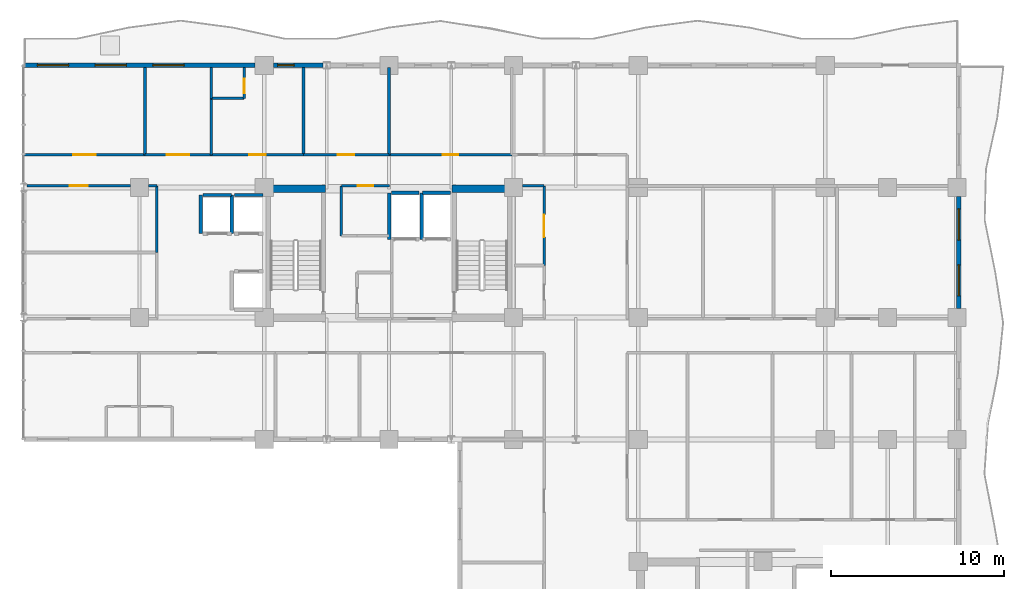
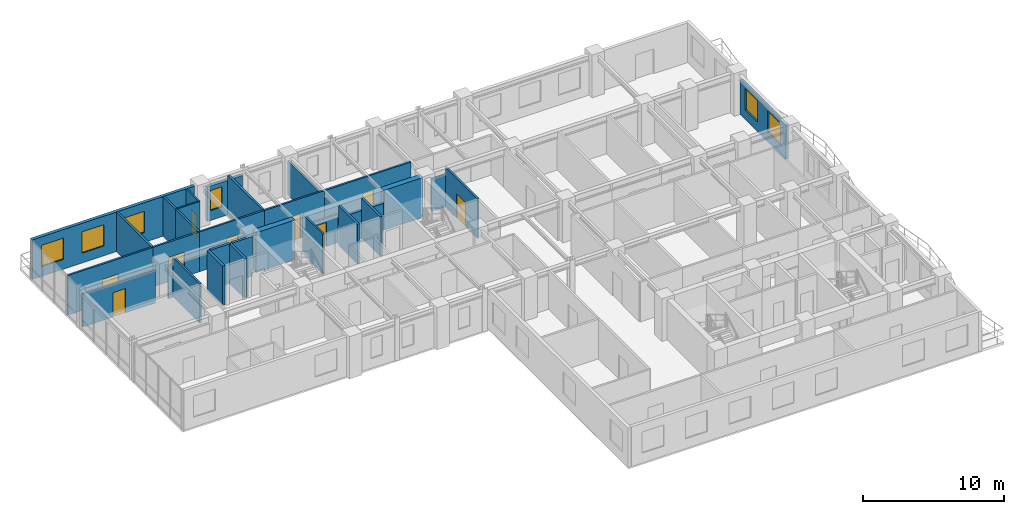
# One storey, part 14 of 19: 32 walls, 9 doors, 6 windows, 15 openings.
"""IFC4 building model written with IfcOpenShell, lengths in metres."""

from ifc_helpers import new_model, si_unit, direction, frame, frame_2d, origin, place, context, subcontext, project, spatial, rectangle, extrude, material, layer, layer_set, type_object, element, fill, save


model = new_model("IFC4")

# Units and contexts
model_context = context("Model", 3, precision=1e-05, world=origin(), true_north=direction((0.0, 1.0)))
body_context = subcontext(model_context, "Body", "Model", "MODEL_VIEW")
ifc_project = project(units=[si_unit("LENGTHUNIT", "METRE"), si_unit("AREAUNIT", "SQUARE_METRE"), si_unit("VOLUMEUNIT", "CUBIC_METRE"), si_unit("PLANEANGLEUNIT", "RADIAN"), si_unit("MASSUNIT", "GRAM", prefix="KILO")], contexts=[model_context])

# Site, building, storey
site_placement = place(None, origin())
site = spatial("IfcSite", under=ifc_project, at=site_placement, CompositionType="ELEMENT")
building_placement = place(site_placement, origin())
building = spatial("IfcBuilding", under=site, at=building_placement, Name="Kaliganga Portal Commons", CompositionType="ELEMENT")
storey_placement = place(building_placement, frame((0.0, 0.0, 184.60009765625)))
storey = spatial("IfcBuildingStorey", under=building, at=storey_placement, Name="L47", CompositionType="ELEMENT", Elevation=184.60009765625)

# Walls
ifc_material_1 = material(Name="Concrete C60/75", Category="concrete")
ifc_layer_1 = layer(ifc_material_1, 0.449951171875)
ifc_layer_set_1 = layer_set([ifc_layer_1], Name="Concrete C60/75")
wall_type_1 = type_object("IfcWallType", Name="WL-CORE-450", PredefinedType="SHEAR", material=ifc_layer_set_1)
for number, where, z_axis, x_axis, name in (
    (1, (14.75, 36.074951171875, 0.0), (0.0, 0.0, 1.0), (1.0, 0.0, 0.0), "Core A N-West Shear Wall L47"),
    (2, (25.25, 36.074951171875, 0.0), (0.0, 0.0, 1.0), (1.0, 0.0, 0.0), "Core A N-East Shear Wall L47"),
):
    element("IfcWall", number, at=place(storey_placement, frame(where, z_axis=z_axis, x_axis=x_axis)), inside=storey, type_object=wall_type_1, Name=name, PredefinedType="SHEAR", context=body_context, shape_type="SweptSolid", body=[
        extrude(rectangle(XDim=3.199951171875, YDim=0.449951171875, at=frame_2d((1.60009765625, 0.0))), origin(), (0.0, 0.0, 1.0), 3.4599609375),
    ])

# Wall, openings, windows
ifc_material_2 = material(Name="Insulated Aluminium-Clad Spandrel Assembly", Category="aluminium")
ifc_layer_2 = layer(ifc_material_2, 0.260009765625)
ifc_layer_set_2 = layer_set([ifc_layer_2], Name="Insulated Aluminium-Clad Spandrel Assembly")
wall_type_2 = type_object("IfcWallType", Name="WL-EXT-SPAND-260", PredefinedType="STANDARD", material=ifc_layer_set_2)
wall_1_placement = place(storey_placement, frame((54.5, 35.6240234375, 0.0), z_axis=(0.0, 0.0, 1.0), x_axis=(0.0, -1.0, 0.0)))
wall_1 = element("IfcWall", 3, at=wall_1_placement, inside=storey, type_object=wall_type_2, Name="Exterior Envelope Wall L47 P1-E01-S5", PredefinedType="STANDARD", context=body_context, shape_type="SweptSolid", body=[
    extrude(rectangle(XDim=6.447998046875, YDim=0.260009765625, at=frame_2d((3.22412109375, 0.0))), origin(), (0.0, 0.0, 1.0), 2.989990234375),
])
opening_1_placement = place(wall_1_placement, frame((0.7119140625, 0.0, 0.85009765625)))
opening_1 = element("IfcOpeningElement", 4, at=opening_1_placement, cuts=wall_1, Name="Opening W-01", PredefinedType="OPENING", context=body_context, shape_type="SweptSolid", body=[
    extrude(rectangle(XDim=1.800048828125, YDim=1.85009765625, at=frame_2d((0.89990234375, 0.925048828125))), frame((0.0, 0.14013671875, 0.0), z_axis=(0.0, -1.0, 0.0), x_axis=(1.0, 0.0, 0.0)), (0.0, 0.0, 1.0), 0.280029296875),
])
opening_2_placement = place(wall_1_placement, frame((3.93603515625, 0.0, 0.85009765625)))
opening_2 = element("IfcOpeningElement", 5, at=opening_2_placement, cuts=wall_1, Name="Opening W-01", PredefinedType="OPENING", context=body_context, shape_type="SweptSolid", body=[
    extrude(rectangle(XDim=1.800048828125, YDim=1.85009765625, at=frame_2d((0.89990234375, 0.925048828125))), frame((0.0, 0.14013671875, 0.0), z_axis=(0.0, -1.0, 0.0), x_axis=(1.0, 0.0, 0.0)), (0.0, 0.0, 1.0), 0.280029296875),
])
ifc_material_3 = material(Name="Thermally Broken Aluminium and Low-E Double Glazing", Category="aluminium")
window_type_1 = type_object("IfcWindowType", Name="WIN-STD-1800", PartitioningType="DOUBLE_PANEL_VERTICAL", PredefinedType="WINDOW", material=ifc_material_3)
window_1_placement = place(opening_1_placement, origin())
window_1 = element("IfcWindow", 6, at=window_1_placement, inside=storey, type_object=window_type_1, Name="Facade Window L47-P1E01S5-00", OverallHeight=1.85009765625, OverallWidth=1.800048828125, PartitioningType="SINGLE_PANEL", PredefinedType="WINDOW", context=body_context, shape_type="SweptSolid", body=[
    extrude(rectangle(XDim=1.800048828125, YDim=1.85009765625, at=frame_2d((0.89990234375, 0.925048828125))), frame((0.0, 0.030029296875, 0.0), z_axis=(0.0, -1.0, 0.0), x_axis=(1.0, 0.0, 0.0)), (0.0, 0.0, 1.0), 0.06005859375),
])
fill(opening_1, window_1)
window_2_placement = place(opening_2_placement, origin())
window_2 = element("IfcWindow", 7, at=window_2_placement, inside=storey, type_object=window_type_1, Name="Facade Window L47-P1E01S5-01", OverallHeight=1.85009765625, OverallWidth=1.800048828125, PartitioningType="SINGLE_PANEL", PredefinedType="WINDOW", context=body_context, shape_type="SweptSolid", body=[
    extrude(rectangle(XDim=1.800048828125, YDim=1.85009765625, at=frame_2d((0.89990234375, 0.925048828125))), frame((0.0, 0.030029296875, 0.0), z_axis=(0.0, -1.0, 0.0), x_axis=(1.0, 0.0, 0.0)), (0.0, 0.0, 1.0), 0.06005859375),
])
fill(opening_2, window_2)

# Wall, opening, window
wall_2_placement = place(storey_placement, frame((14.926025390625, 43.199951171875, 0.0), z_axis=(0.0, 0.0, 1.0), x_axis=(1.0, 0.0, 0.0)))
wall_2 = element("IfcWall", 8, at=wall_2_placement, inside=storey, type_object=wall_type_2, Name="Exterior Envelope Wall L47 P1-E02-S8", PredefinedType="STANDARD", context=body_context, shape_type="SweptSolid", body=[
    extrude(rectangle(XDim=2.87109375, YDim=0.260009765625, at=frame_2d((1.435546875, 0.0))), origin(), (0.0, 0.0, 1.0), 2.989990234375),
])
opening_3_placement = place(wall_2_placement, frame((0.24853515625, 0.0, 0.85009765625)))
opening_3 = element("IfcOpeningElement", 9, at=opening_3_placement, cuts=wall_2, Name="Opening W-04", PredefinedType="OPENING", context=body_context, shape_type="SweptSolid", body=[
    extrude(rectangle(XDim=0.949951171875, YDim=1.75, at=frame_2d((0.47509765625, 0.875))), frame((0.0, 0.14013671875, 0.0), z_axis=(0.0, -1.0, 0.0), x_axis=(1.0, 0.0, 0.0)), (0.0, 0.0, 1.0), 0.280029296875),
])
window_type_2 = type_object("IfcWindowType", Name="WIN-NARROW-950", PartitioningType="SINGLE_PANEL", PredefinedType="WINDOW", material=ifc_material_3)
window_3_placement = place(opening_3_placement, origin())
window_3 = element("IfcWindow", 10, at=window_3_placement, inside=storey, type_object=window_type_2, Name="Facade Window L47-P1E02S8-N1", OverallHeight=1.75, OverallWidth=0.949951171875, PartitioningType="SINGLE_PANEL", PredefinedType="WINDOW", context=body_context, shape_type="SweptSolid", body=[
    extrude(rectangle(XDim=0.949951171875, YDim=1.75, at=frame_2d((0.47509765625, 0.875))), frame((0.0, 0.030029296875, 0.0), z_axis=(0.0, -1.0, 0.0), x_axis=(1.0, 0.0, 0.0)), (0.0, 0.0, 1.0), 0.06005859375),
])
fill(opening_3, window_3)

# Wall, openings, windows
wall_3_placement = place(storey_placement, frame((0.537109375, 43.199951171875, 0.0), z_axis=(0.0, 0.0, 1.0), x_axis=(1.0, 0.0, 0.0)))
wall_3 = element("IfcWall", 11, at=wall_3_placement, inside=storey, type_object=wall_type_2, Name="Exterior Envelope Wall L47 P1-E02-S9", PredefinedType="STANDARD", context=body_context, shape_type="SweptSolid", body=[
    extrude(rectangle(XDim=13.3369140625, YDim=0.260009765625, at=frame_2d((6.66845703125, 0.0))), origin(), (0.0, 0.0, 1.0), 3.43994140625),
])
opening_4_placement = place(wall_3_placement, frame((0.76708984375, 0.0, 0.85009765625)))
opening_4 = element("IfcOpeningElement", 12, at=opening_4_placement, cuts=wall_3, Name="Opening W-01", PredefinedType="OPENING", context=body_context, shape_type="SweptSolid", body=[
    extrude(rectangle(XDim=1.800048828125, YDim=1.85009765625, at=frame_2d((0.89990234375, 0.925048828125))), frame((0.0, 0.14013671875, 0.0), z_axis=(0.0, -1.0, 0.0), x_axis=(1.0, 0.0, 0.0)), (0.0, 0.0, 1.0), 0.280029296875),
])
opening_5_placement = place(wall_3_placement, frame((4.101318359375, 0.0, 0.85009765625)))
opening_5 = element("IfcOpeningElement", 13, at=opening_5_placement, cuts=wall_3, Name="Opening W-01", PredefinedType="OPENING", context=body_context, shape_type="SweptSolid", body=[
    extrude(rectangle(XDim=1.800048828125, YDim=1.85009765625, at=frame_2d((0.89990234375, 0.925048828125))), frame((0.0, 0.14013671875, 0.0), z_axis=(0.0, -1.0, 0.0), x_axis=(1.0, 0.0, 0.0)), (0.0, 0.0, 1.0), 0.280029296875),
])
opening_6_placement = place(wall_3_placement, frame((7.435546875, 0.0, 0.85009765625)))
opening_6 = element("IfcOpeningElement", 14, at=opening_6_placement, cuts=wall_3, Name="Opening W-01", PredefinedType="OPENING", context=body_context, shape_type="SweptSolid", body=[
    extrude(rectangle(XDim=1.800048828125, YDim=1.85009765625, at=frame_2d((0.89990234375, 0.925048828125))), frame((0.0, 0.14013671875, 0.0), z_axis=(0.0, -1.0, 0.0), x_axis=(1.0, 0.0, 0.0)), (0.0, 0.0, 1.0), 0.280029296875),
])
window_4_placement = place(opening_4_placement, origin())
window_4 = element("IfcWindow", 15, at=window_4_placement, inside=storey, type_object=window_type_1, Name="Facade Window L47-P1E02S9-00", OverallHeight=1.85009765625, OverallWidth=1.800048828125, PartitioningType="SINGLE_PANEL", PredefinedType="WINDOW", context=body_context, shape_type="SweptSolid", body=[
    extrude(rectangle(XDim=1.800048828125, YDim=1.85009765625, at=frame_2d((0.89990234375, 0.925048828125))), frame((0.0, 0.030029296875, 0.0), z_axis=(0.0, -1.0, 0.0), x_axis=(1.0, 0.0, 0.0)), (0.0, 0.0, 1.0), 0.06005859375),
])
fill(opening_4, window_4)
window_5_placement = place(opening_5_placement, origin())
window_5 = element("IfcWindow", 16, at=window_5_placement, inside=storey, type_object=window_type_1, Name="Facade Window L47-P1E02S9-01", OverallHeight=1.85009765625, OverallWidth=1.800048828125, PartitioningType="SINGLE_PANEL", PredefinedType="WINDOW", context=body_context, shape_type="SweptSolid", body=[
    extrude(rectangle(XDim=1.800048828125, YDim=1.85009765625, at=frame_2d((0.89990234375, 0.925048828125))), frame((0.0, 0.030029296875, 0.0), z_axis=(0.0, -1.0, 0.0), x_axis=(1.0, 0.0, 0.0)), (0.0, 0.0, 1.0), 0.06005859375),
])
fill(opening_5, window_5)
window_6_placement = place(opening_6_placement, origin())
window_6 = element("IfcWindow", 17, at=window_6_placement, inside=storey, type_object=window_type_1, Name="Facade Window L47-P1E02S9-02", OverallHeight=1.85009765625, OverallWidth=1.800048828125, PartitioningType="SINGLE_PANEL", PredefinedType="WINDOW", context=body_context, shape_type="SweptSolid", body=[
    extrude(rectangle(XDim=1.800048828125, YDim=1.85009765625, at=frame_2d((0.89990234375, 0.925048828125))), frame((0.0, 0.030029296875, 0.0), z_axis=(0.0, -1.0, 0.0), x_axis=(1.0, 0.0, 0.0)), (0.0, 0.0, 1.0), 0.06005859375),
])
fill(opening_6, window_6)

# Wall, opening, door
ifc_material_4 = material(Name="Fire-Rated Gypsum Board on Steel Stud", Category="steel")
ifc_layer_3 = layer(ifc_material_4, 0.14990234375)
ifc_layer_set_3 = layer_set([ifc_layer_3], Name="Fire-Rated Gypsum Board on Steel Stud")
wall_type_3 = type_object("IfcWallType", Name="WL-PART-CORR-150", PredefinedType="PARTITIONING", material=ifc_layer_set_3)
wall_4_placement = place(storey_placement, frame((0.701904296875, 36.239990234375, 0.0), z_axis=(0.0, 0.0, 1.0), x_axis=(1.0, 0.0, 0.0)))
wall_4 = element("IfcWall", 18, at=wall_4_placement, inside=storey, type_object=wall_type_3, Name="Interior Partition L47-017", PredefinedType="PARTITIONING", context=body_context, shape_type="SweptSolid", body=[
    extrude(rectangle(XDim=5.97314453125, YDim=0.14990234375, at=frame_2d((2.986572265625, 0.0))), origin(), (0.0, 0.0, 1.0), 2.83984375),
])
opening_7_placement = place(wall_4_placement, frame((2.46142578125, 0.0, 0.0)))
opening_7 = element("IfcOpeningElement", 19, at=opening_7_placement, cuts=wall_4, Name="Opening UD-02", PredefinedType="OPENING", context=body_context, shape_type="SweptSolid", body=[
    extrude(rectangle(XDim=1.050048828125, YDim=2.1201171875, at=frame_2d((0.52490234375, 1.06005859375))), frame((0.0, 0.0849609375, 0.0), z_axis=(0.0, -1.0, 0.0), x_axis=(1.0, 0.0, 0.0)), (0.0, 0.0, 1.0), 0.169921875),
])
ifc_material_5 = material(Name="Accessible Wide-Leaf Acoustic Fire Door", Category="wood")
door_type_1 = type_object("IfcDoorType", Name="DR-ACC-1050", OperationType="NOTDEFINED", PredefinedType="DOOR", material=ifc_material_5)
door_1_placement = place(opening_7_placement, origin())
door_1 = element("IfcDoor", 20, at=door_1_placement, inside=storey, type_object=door_type_1, Name="Interior Door L47-AW02", OperationType="SINGLE_SWING_LEFT", OverallHeight=2.1201171875, OverallWidth=1.050048828125, PredefinedType="DOOR", context=body_context, shape_type="SweptSolid", body=[
    extrude(rectangle(XDim=1.050048828125, YDim=2.1201171875, at=frame_2d((0.52490234375, 1.06005859375))), frame((0.0, 0.02490234375, 0.0), z_axis=(0.0, -1.0, 0.0), x_axis=(1.0, 0.0, 0.0)), (0.0, 0.0, 1.0), 0.050048828125),
])
fill(opening_7, door_1)

# Wall
wall_5_placement = place(storey_placement, frame((7.72509765625, 36.239990234375, 0.0), z_axis=(0.0, 0.0, 1.0), x_axis=(1.0, 0.0, 0.0)))
element("IfcWall", 21, at=wall_5_placement, inside=storey, type_object=wall_type_3, Name="Interior Partition L47-018", PredefinedType="PARTITIONING", context=body_context, shape_type="SweptSolid", body=[
    extrude(rectangle(XDim=0.474853515625, YDim=0.14990234375, at=frame_2d((0.2373046875, 0.0))), origin(), (0.0, 0.0, 1.0), 2.83984375),
])

# Wall, opening, door
wall_6_placement = place(storey_placement, frame((21.60009765625, 38.0400390625, 0.0), z_axis=(0.0, 0.0, 1.0), x_axis=(1.0, 0.0, 0.0)))
wall_6 = element("IfcWall", 22, at=wall_6_placement, inside=storey, type_object=wall_type_3, Name="Interior Partition L47-022", PredefinedType="PARTITIONING", context=body_context, shape_type="SweptSolid", body=[
    extrude(rectangle(XDim=7.099853515625, YDim=0.14990234375, at=frame_2d((3.5498046875, 0.0))), origin(), (0.0, 0.0, 1.0), 3.43994140625),
])
opening_8_placement = place(wall_6_placement, frame((3.10009765625, 0.0, 0.0)))
opening_8 = element("IfcOpeningElement", 23, at=opening_8_placement, cuts=wall_6, Name="Opening RD-01", PredefinedType="OPENING", context=body_context, shape_type="SweptSolid", body=[
    extrude(rectangle(XDim=0.89990234375, YDim=2.080078125, at=frame_2d((0.449951171875, 1.0400390625))), frame((0.0, 0.0849609375, 0.0), z_axis=(0.0, -1.0, 0.0), x_axis=(1.0, 0.0, 0.0)), (0.0, 0.0, 1.0), 0.169921875),
])
ifc_material_6 = material(Name="Engineered Timber Flush Door", Category="wood")
door_type_2 = type_object("IfcDoorType", Name="DR-ROOM-900", OperationType="NOTDEFINED", PredefinedType="DOOR", material=ifc_material_6)
door_2_placement = place(opening_8_placement, origin())
door_2 = element("IfcDoor", 24, at=door_2_placement, inside=storey, type_object=door_type_2, Name="Interior Door L47-AN05", OperationType="SINGLE_SWING_LEFT", OverallHeight=2.080078125, OverallWidth=0.89990234375, PredefinedType="DOOR", context=body_context, shape_type="SweptSolid", body=[
    extrude(rectangle(XDim=0.89990234375, YDim=2.080078125, at=frame_2d((0.449951171875, 1.0400390625))), frame((0.0, 0.02490234375, 0.0), z_axis=(0.0, -1.0, 0.0), x_axis=(1.0, 0.0, 0.0)), (0.0, 0.0, 1.0), 0.050048828125),
])
fill(opening_8, door_2)

wall_7_placement = place(storey_placement, frame((0.52001953125, 38.0400390625, 0.0), z_axis=(0.0, 0.0, 1.0), x_axis=(1.0, 0.0, 0.0)))
wall_7 = element("IfcWall", 25, at=wall_7_placement, inside=storey, type_object=wall_type_3, Name="Interior Partition L47-025", PredefinedType="PARTITIONING", context=body_context, shape_type="SweptSolid", body=[
    extrude(rectangle(XDim=7.0, YDim=0.14990234375, at=frame_2d((3.5, 0.0))), origin(), (0.0, 0.0, 1.0), 3.43994140625),
])
opening_9_placement = place(wall_7_placement, frame((2.85009765625, 0.0, 0.0)))
opening_9 = element("IfcOpeningElement", 26, at=opening_9_placement, cuts=wall_7, Name="Opening RD-03", PredefinedType="OPENING", context=body_context, shape_type="SweptSolid", body=[
    extrude(rectangle(XDim=1.300048828125, YDim=2.1201171875, at=frame_2d((0.64990234375, 1.06005859375))), frame((0.0, 0.0849609375, 0.0), z_axis=(0.0, -1.0, 0.0), x_axis=(1.0, 0.0, 0.0)), (0.0, 0.0, 1.0), 0.169921875),
])
ifc_material_7 = material(Name="Glazed Timber Seminar Vision Door", Category="wood")
door_type_3 = type_object("IfcDoorType", Name="DR-STUDY-1300", OperationType="DOUBLE_DOOR_SINGLE_SWING", PredefinedType="DOOR", material=ifc_material_7)
door_3_placement = place(opening_9_placement, origin())
door_3 = element("IfcDoor", 27, at=door_3_placement, inside=storey, type_object=door_type_3, Name="Interior Door L47-AN01", OperationType="DOUBLE_DOOR_SINGLE_SWING", OverallHeight=2.1201171875, OverallWidth=1.300048828125, PredefinedType="DOOR", context=body_context, shape_type="SweptSolid", body=[
    extrude(rectangle(XDim=1.300048828125, YDim=2.1201171875, at=frame_2d((0.64990234375, 1.06005859375))), frame((0.0, 0.02490234375, 0.0), z_axis=(0.0, -1.0, 0.0), x_axis=(1.0, 0.0, 0.0)), (0.0, 0.0, 1.0), 0.050048828125),
])
fill(opening_9, door_3)

wall_8_placement = place(storey_placement, frame((11.340087890625, 38.0400390625, 0.0), z_axis=(0.0, 0.0, 1.0), x_axis=(1.0, 0.0, 0.0)))
wall_8 = element("IfcWall", 28, at=wall_8_placement, inside=storey, type_object=wall_type_3, Name="Interior Partition L47-027", PredefinedType="PARTITIONING", context=body_context, shape_type="SweptSolid", body=[
    extrude(rectangle(XDim=5.31982421875, YDim=0.14990234375, at=frame_2d((2.659912109375, 0.0))), origin(), (0.0, 0.0, 1.0), 3.43994140625),
])
opening_10_placement = place(wall_8_placement, frame((2.18505859375, 0.0, 0.0)))
opening_10 = element("IfcOpeningElement", 29, at=opening_10_placement, cuts=wall_8, Name="Opening UD-01", PredefinedType="OPENING", context=body_context, shape_type="SweptSolid", body=[
    extrude(rectangle(XDim=0.949951171875, YDim=2.10009765625, at=frame_2d((0.47509765625, 1.050048828125))), frame((0.0, 0.0849609375, 0.0), z_axis=(0.0, -1.0, 0.0), x_axis=(1.0, 0.0, 0.0)), (0.0, 0.0, 1.0), 0.169921875),
])
ifc_material_8 = material(Name="Solid-Core Timber Acoustic Fire Door", Category="wood")
door_type_4 = type_object("IfcDoorType", Name="DR-UNIT-950", OperationType="NOTDEFINED", PredefinedType="DOOR", material=ifc_material_8)
door_4_placement = place(opening_10_placement, origin())
door_4 = element("IfcDoor", 30, at=door_4_placement, inside=storey, type_object=door_type_4, Name="Interior Door L47-AN03", OperationType="SINGLE_SWING_LEFT", OverallHeight=2.10009765625, OverallWidth=0.949951171875, PredefinedType="DOOR", context=body_context, shape_type="SweptSolid", body=[
    extrude(rectangle(XDim=0.949951171875, YDim=2.10009765625, at=frame_2d((0.47509765625, 1.050048828125))), frame((0.0, 0.02490234375, 0.0), z_axis=(0.0, -1.0, 0.0), x_axis=(1.0, 0.0, 0.0)), (0.0, 0.0, 1.0), 0.050048828125),
])
fill(opening_10, door_4)

wall_9_placement = place(storey_placement, frame((16.659912109375, 38.0400390625, 0.0), z_axis=(0.0, 0.0, 1.0), x_axis=(1.0, 0.0, 0.0)))
wall_9 = element("IfcWall", 31, at=wall_9_placement, inside=storey, type_object=wall_type_3, Name="Interior Partition L47-029", PredefinedType="PARTITIONING", context=body_context, shape_type="SweptSolid", body=[
    extrude(rectangle(XDim=4.940185546875, YDim=0.14990234375, at=frame_2d((2.47021484375, 0.0))), origin(), (0.0, 0.0, 1.0), 3.43994140625),
])
opening_11_placement = place(wall_9_placement, frame((1.9951171875, 0.0, 0.0)))
opening_11 = element("IfcOpeningElement", 32, at=opening_11_placement, cuts=wall_9, Name="Opening UD-01", PredefinedType="OPENING", context=body_context, shape_type="SweptSolid", body=[
    extrude(rectangle(XDim=0.949951171875, YDim=2.10009765625, at=frame_2d((0.47509765625, 1.050048828125))), frame((0.0, 0.0849609375, 0.0), z_axis=(0.0, -1.0, 0.0), x_axis=(1.0, 0.0, 0.0)), (0.0, 0.0, 1.0), 0.169921875),
])
door_5_placement = place(opening_11_placement, origin())
door_5 = element("IfcDoor", 33, at=door_5_placement, inside=storey, type_object=door_type_4, Name="Interior Door L47-AN04", OperationType="SINGLE_SWING_RIGHT", OverallHeight=2.10009765625, OverallWidth=0.949951171875, PredefinedType="DOOR", context=body_context, shape_type="SweptSolid", body=[
    extrude(rectangle(XDim=0.949951171875, YDim=2.10009765625, at=frame_2d((0.47509765625, 1.050048828125))), frame((0.0, 0.02490234375, 0.0), z_axis=(0.0, -1.0, 0.0), x_axis=(1.0, 0.0, 0.0)), (0.0, 0.0, 1.0), 0.050048828125),
])
fill(opening_11, door_5)

wall_10_placement = place(storey_placement, frame((30.56005859375, 31.639892578125, 0.0), z_axis=(0.0, 0.0, 1.0), x_axis=(0.0, 1.0, 0.0)))
wall_10 = element("IfcWall", 34, at=wall_10_placement, inside=storey, type_object=wall_type_3, Name="Interior Partition L47-035", PredefinedType="PARTITIONING", context=body_context, shape_type="SweptSolid", body=[
    extrude(rectangle(XDim=4.60009765625, YDim=0.14990234375, at=frame_2d((2.300048828125, 0.0))), origin(), (0.0, 0.0, 1.0), 3.43994140625),
])
opening_12_placement = place(wall_10_placement, frame((1.64990234375, 0.0, 0.0)))
opening_12 = element("IfcOpeningElement", 35, at=opening_12_placement, cuts=wall_10, Name="Opening RD-03", PredefinedType="OPENING", context=body_context, shape_type="SweptSolid", body=[
    extrude(rectangle(XDim=1.300048828125, YDim=2.1201171875, at=frame_2d((0.64990234375, 1.06005859375))), frame((0.0, 0.0849609375, 0.0), z_axis=(0.0, -1.0, 0.0), x_axis=(1.0, 0.0, 0.0)), (0.0, 0.0, 1.0), 0.169921875),
])
door_6_placement = place(opening_12_placement, origin())
door_6 = element("IfcDoor", 36, at=door_6_placement, inside=storey, type_object=door_type_3, Name="Interior Door L47-CSRV_A2", OperationType="DOUBLE_DOOR_SINGLE_SWING", OverallHeight=2.1201171875, OverallWidth=1.300048828125, PredefinedType="DOOR", context=body_context, shape_type="SweptSolid", body=[
    extrude(rectangle(XDim=1.300048828125, YDim=2.1201171875, at=frame_2d((0.64990234375, 1.06005859375))), frame((0.0, 0.02490234375, 0.0), z_axis=(0.0, -1.0, 0.0), x_axis=(1.0, 0.0, 0.0)), (0.0, 0.0, 1.0), 0.050048828125),
])
fill(opening_12, door_6)

# Wall
wall_11_placement = place(storey_placement, frame((8.199951171875, 32.39990234375, 0.0), z_axis=(0.0, 0.0, 1.0), x_axis=(0.0, 1.0, 0.0)))
element("IfcWall", 37, at=wall_11_placement, inside=storey, type_object=wall_type_3, Name="Interior Partition L47-040", PredefinedType="PARTITIONING", context=body_context, shape_type="SweptSolid", body=[
    extrude(rectangle(XDim=3.840087890625, YDim=0.14990234375, at=frame_2d((1.919921875, 0.0))), origin(), (0.0, 0.0, 1.0), 3.43994140625),
])

# Wall, opening, door
wall_12_placement = place(storey_placement, frame((7.52001953125, 38.0400390625, 0.0), z_axis=(0.0, 0.0, 1.0), x_axis=(1.0, 0.0, 0.0)))
wall_12 = element("IfcWall", 38, at=wall_12_placement, inside=storey, type_object=wall_type_3, Name="Interior Partition L47-042", PredefinedType="PARTITIONING", context=body_context, shape_type="SweptSolid", body=[
    extrude(rectangle(XDim=3.820068359375, YDim=0.14990234375, at=frame_2d((1.91015625, 0.0))), origin(), (0.0, 0.0, 1.0), 3.43994140625),
])
opening_13_placement = place(wall_12_placement, frame((1.260009765625, 0.0, 0.0)))
opening_13 = element("IfcOpeningElement", 39, at=opening_13_placement, cuts=wall_12, Name="Opening RD-03", PredefinedType="OPENING", context=body_context, shape_type="SweptSolid", body=[
    extrude(rectangle(XDim=1.300048828125, YDim=2.1201171875, at=frame_2d((0.64990234375, 1.06005859375))), frame((0.0, 0.0849609375, 0.0), z_axis=(0.0, -1.0, 0.0), x_axis=(1.0, 0.0, 0.0)), (0.0, 0.0, 1.0), 0.169921875),
])
door_7_placement = place(opening_13_placement, origin())
door_7 = element("IfcDoor", 40, at=door_7_placement, inside=storey, type_object=door_type_3, Name="Interior Door L47-AN02", OperationType="DOUBLE_DOOR_SINGLE_SWING", OverallHeight=2.1201171875, OverallWidth=1.300048828125, PredefinedType="DOOR", context=body_context, shape_type="SweptSolid", body=[
    extrude(rectangle(XDim=1.300048828125, YDim=2.1201171875, at=frame_2d((0.64990234375, 1.06005859375))), frame((0.0, 0.02490234375, 0.0), z_axis=(0.0, -1.0, 0.0), x_axis=(1.0, 0.0, 0.0)), (0.0, 0.0, 1.0), 0.050048828125),
])
fill(opening_13, door_7)

# Wall
wall_13_placement = place(storey_placement, frame((18.860107421875, 33.360107421875, 0.0), z_axis=(0.0, 0.0, 1.0), x_axis=(0.0, 1.0, 0.0)))
element("IfcWall", 41, at=wall_13_placement, inside=storey, type_object=wall_type_3, Name="Interior Partition L47-049", PredefinedType="PARTITIONING", context=body_context, shape_type="SweptSolid", body=[
    extrude(rectangle(XDim=2.8798828125, YDim=0.14990234375, at=frame_2d((1.43994140625, 0.0))), origin(), (0.0, 0.0, 1.0), 3.43994140625),
])

# Wall, opening, door
wall_14_placement = place(storey_placement, frame((18.860107421875, 36.239990234375, 0.0), z_axis=(0.0, 0.0, 1.0), x_axis=(1.0, 0.0, 0.0)))
wall_14 = element("IfcWall", 42, at=wall_14_placement, inside=storey, type_object=wall_type_3, Name="Interior Partition L47-050", PredefinedType="PARTITIONING", context=body_context, shape_type="SweptSolid", body=[
    extrude(rectangle(XDim=2.77978515625, YDim=0.14990234375, at=frame_2d((1.389892578125, 0.0))), origin(), (0.0, 0.0, 1.0), 2.43994140625),
])
opening_14_placement = place(wall_14_placement, frame((0.93994140625, 0.0, 0.0)))
opening_14 = element("IfcOpeningElement", 43, at=opening_14_placement, cuts=wall_14, Name="Opening RD-01", PredefinedType="OPENING", context=body_context, shape_type="SweptSolid", body=[
    extrude(rectangle(XDim=0.89990234375, YDim=2.080078125, at=frame_2d((0.449951171875, 1.0400390625))), frame((0.0, 0.0849609375, 0.0), z_axis=(0.0, -1.0, 0.0), x_axis=(1.0, 0.0, 0.0)), (0.0, 0.0, 1.0), 0.169921875),
])
door_8_placement = place(opening_14_placement, origin())
door_8 = element("IfcDoor", 44, at=door_8_placement, inside=storey, type_object=door_type_2, Name="Interior Door L47-CREC_A1", OperationType="SINGLE_SWING_LEFT", OverallHeight=2.080078125, OverallWidth=0.89990234375, PredefinedType="DOOR", context=body_context, shape_type="SweptSolid", body=[
    extrude(rectangle(XDim=0.89990234375, YDim=2.080078125, at=frame_2d((0.449951171875, 1.0400390625))), frame((0.0, 0.02490234375, 0.0), z_axis=(0.0, -1.0, 0.0), x_axis=(1.0, 0.0, 0.0)), (0.0, 0.0, 1.0), 0.050048828125),
])
fill(opening_14, door_8)

# Walls
wall_15_placement = place(storey_placement, frame((29.324951171875, 36.239990234375, 0.0), z_axis=(0.0, 0.0, 1.0), x_axis=(1.0, 0.0, 0.0)))
element("IfcWall", 45, at=wall_15_placement, inside=storey, type_object=wall_type_3, Name="Interior Partition L47-065", PredefinedType="PARTITIONING", context=body_context, shape_type="SweptSolid", body=[
    extrude(rectangle(XDim=1.235107421875, YDim=0.14990234375, at=frame_2d((0.61767578125, 0.0))), origin(), (0.0, 0.0, 1.0), 2.83984375),
])
ifc_material_9 = material(Name="Twin-Stud Acoustic Gypsum Partition", Category="gypsum")
ifc_layer_4 = layer(ifc_material_9, 0.1650390625)
ifc_layer_set_4 = layer_set([ifc_layer_4], Name="Twin-Stud Acoustic Gypsum Partition")
wall_type_4 = type_object("IfcWallType", Name="WL-PART-UNIT-165", PredefinedType="PARTITIONING", material=ifc_layer_set_4)
for number, where, z_axis, x_axis, name in (
    (46, (7.52001953125, 38.0400390625, 0.0), (0.0, 0.0, 1.0), (0.0, 1.0, 0.0), "Interior Partition L47-076"),
    (47, (16.659912109375, 38.0400390625, 0.0), (0.0, 0.0, 1.0), (0.0, 1.0, 0.0), "Interior Partition L47-077"),
):
    element("IfcWall", number, at=place(storey_placement, frame(where, z_axis=z_axis, x_axis=x_axis)), inside=storey, type_object=wall_type_4, Name=name, PredefinedType="PARTITIONING", context=body_context, shape_type="SweptSolid", body=[
        extrude(rectangle(XDim=5.028076171875, YDim=0.1650390625, at=frame_2d((2.51416015625, 0.0))), origin(), (0.0, 0.0, 1.0), 3.43994140625),
    ])
wall_16_placement = place(storey_placement, frame((21.60009765625, 38.0400390625, 0.0), z_axis=(0.0, 0.0, 1.0), x_axis=(0.0, 1.0, 0.0)))
element("IfcWall", 48, at=wall_16_placement, inside=storey, type_object=wall_type_4, Name="Interior Partition L47-078", PredefinedType="PARTITIONING", context=body_context, shape_type="SweptSolid", body=[
    extrude(rectangle(XDim=5.028076171875, YDim=0.1650390625, at=frame_2d((2.51416015625, 0.0))), origin(), (0.0, 0.0, 1.0), 2.989990234375),
])
wall_17_placement = place(storey_placement, frame((11.340087890625, 38.0400390625, 0.0), z_axis=(0.0, 0.0, 1.0), x_axis=(0.0, 1.0, 0.0)))
element("IfcWall", 49, at=wall_17_placement, inside=storey, type_object=wall_type_4, Name="Interior Partition L47-090", PredefinedType="PARTITIONING", context=body_context, shape_type="SweptSolid", body=[
    extrude(rectangle(XDim=3.260009765625, YDim=0.1650390625, at=frame_2d((1.6298828125, 0.0))), origin(), (0.0, 0.0, 1.0), 3.43994140625),
])
ifc_material_10 = material(Name="Cement-Board Wet-Room Partition", Category="gypsum")
ifc_layer_5 = layer(ifc_material_10, 0.135009765625)
ifc_layer_set_5 = layer_set([ifc_layer_5], Name="Cement-Board Wet-Room Partition")
wall_type_5 = type_object("IfcWallType", Name="WL-PART-WET-135", PredefinedType="PARTITIONING", material=ifc_layer_set_5)
wall_18_placement = place(storey_placement, frame((11.340087890625, 41.300048828125, 0.0), z_axis=(0.0, 0.0, 1.0), x_axis=(0.0, 1.0, 0.0)))
element("IfcWall", 50, at=wall_18_placement, inside=storey, type_object=wall_type_5, Name="Interior Partition L47-001", PredefinedType="PARTITIONING", context=body_context, shape_type="SweptSolid", body=[
    extrude(rectangle(XDim=1.76806640625, YDim=0.135009765625, at=frame_2d((0.884033203125, 0.0))), origin(), (0.0, 0.0, 1.0), 3.43994140625),
])

# Wall, opening, door
wall_19_placement = place(storey_placement, frame((13.239990234375, 41.300048828125, 0.0), z_axis=(0.0, 0.0, 1.0), x_axis=(0.0, 1.0, 0.0)))
wall_19 = element("IfcWall", 51, at=wall_19_placement, inside=storey, type_object=wall_type_5, Name="Interior Partition L47-002", PredefinedType="PARTITIONING", context=body_context, shape_type="SweptSolid", body=[
    extrude(rectangle(XDim=1.76806640625, YDim=0.135009765625, at=frame_2d((0.884033203125, 0.0))), origin(), (0.0, 0.0, 1.0), 3.43994140625),
])
opening_15_placement = place(wall_19_placement, frame((0.2822265625, 0.0, 0.0)))
opening_15 = element("IfcOpeningElement", 52, at=opening_15_placement, cuts=wall_19, Name="Opening WD-01", PredefinedType="OPENING", context=body_context, shape_type="SweptSolid", body=[
    extrude(rectangle(XDim=0.85009765625, YDim=2.0400390625, at=frame_2d((0.425048828125, 1.02001953125))), frame((0.0, 0.07763671875, 0.0), z_axis=(0.0, -1.0, 0.0), x_axis=(1.0, 0.0, 0.0)), (0.0, 0.0, 1.0), 0.155029296875),
])
ifc_material_11 = material(Name="Moisture-Resistant Laminate Timber Door", Category="wood")
door_type_5 = type_object("IfcDoorType", Name="DR-WET-850", OperationType="NOTDEFINED", PredefinedType="DOOR", material=ifc_material_11)
door_9_placement = place(opening_15_placement, origin())
door_9 = element("IfcDoor", 53, at=door_9_placement, inside=storey, type_object=door_type_5, Name="Interior Door L47-AN03E", OperationType="SINGLE_SWING_LEFT", OverallHeight=2.0400390625, OverallWidth=0.85009765625, PredefinedType="DOOR", context=body_context, shape_type="SweptSolid", body=[
    extrude(rectangle(XDim=0.85009765625, YDim=2.0400390625, at=frame_2d((0.425048828125, 1.02001953125))), frame((0.0, 0.02490234375, 0.0), z_axis=(0.0, -1.0, 0.0), x_axis=(1.0, 0.0, 0.0)), (0.0, 0.0, 1.0), 0.050048828125),
])
fill(opening_15, door_9)

# Walls
wall_20_placement = place(storey_placement, frame((11.340087890625, 41.300048828125, 0.0), z_axis=(0.0, 0.0, 1.0), x_axis=(1.0, 0.0, 0.0)))
element("IfcWall", 54, at=wall_20_placement, inside=storey, type_object=wall_type_5, Name="Interior Partition L47-004", PredefinedType="PARTITIONING", context=body_context, shape_type="SweptSolid", body=[
    extrude(rectangle(XDim=1.89990234375, YDim=0.135009765625, at=frame_2d((0.949951171875, 0.0))), origin(), (0.0, 0.0, 1.0), 3.43994140625),
])
ifc_material_12 = material(Name="Fire-Rated Shaftwall Masonry Assembly", Category="masonry")
ifc_layer_6 = layer(ifc_material_12, 0.199951171875)
ifc_layer_set_6 = layer_set([ifc_layer_6], Name="Fire-Rated Shaftwall Masonry Assembly")
wall_type_6 = type_object("IfcWallType", Name="WL-SHAFT-200", PredefinedType="PARTITIONING", material=ifc_layer_set_6)
wall_21_placement = place(storey_placement, frame((12.675048828125, 35.715087890625, 0.0), z_axis=(0.0, 0.0, 1.0), x_axis=(1.0, 0.0, 0.0)))
element("IfcWall", 55, at=wall_21_placement, inside=storey, type_object=wall_type_6, Name="Lift PL-A3 Hoistway Shaft Wall L47-N", PredefinedType="PARTITIONING", context=body_context, shape_type="SweptSolid", body=[
    extrude(rectangle(XDim=1.64990234375, YDim=0.199951171875, at=frame_2d((0.824951171875, 0.0))), origin(), (0.0, 0.0, 1.0), 3.43994140625),
])
wall_22_placement = place(storey_placement, frame((12.534912109375, 33.485107421875, 0.0), z_axis=(0.0, 0.0, 1.0), x_axis=(0.0, 1.0, 0.0)))
element("IfcWall", 56, at=wall_22_placement, inside=storey, type_object=wall_type_6, Name="Lift PL-A3 Hoistway Shaft Wall L47-W", PredefinedType="PARTITIONING", context=body_context, shape_type="SweptSolid", body=[
    extrude(rectangle(XDim=2.22998046875, YDim=0.199951171875, at=frame_2d((1.114990234375, 0.0))), origin(), (0.0, 0.0, 1.0), 3.43994140625),
])
wall_23_placement = place(storey_placement, frame((10.875, 35.715087890625, 0.0), z_axis=(0.0, 0.0, 1.0), x_axis=(1.0, 0.0, 0.0)))
element("IfcWall", 57, at=wall_23_placement, inside=storey, type_object=wall_type_6, Name="Lift PL-OBS Hoistway Shaft Wall L47-N", PredefinedType="PARTITIONING", context=body_context, shape_type="SweptSolid", body=[
    extrude(rectangle(XDim=1.64990234375, YDim=0.199951171875, at=frame_2d((0.824951171875, 0.0))), origin(), (0.0, 0.0, 1.0), 3.43994140625),
])
wall_24_placement = place(storey_placement, frame((10.735107421875, 33.485107421875, 0.0), z_axis=(0.0, 0.0, 1.0), x_axis=(0.0, 1.0, 0.0)))
element("IfcWall", 58, at=wall_24_placement, inside=storey, type_object=wall_type_6, Name="Lift PL-OBS Hoistway Shaft Wall L47-W", PredefinedType="PARTITIONING", context=body_context, shape_type="SweptSolid", body=[
    extrude(rectangle(XDim=2.22998046875, YDim=0.199951171875, at=frame_2d((1.114990234375, 0.0))), origin(), (0.0, 0.0, 1.0), 3.43994140625),
])
wall_25_placement = place(storey_placement, frame((21.75, 35.840087890625, 0.0), z_axis=(0.0, 0.0, 1.0), x_axis=(1.0, 0.0, 0.0)))
element("IfcWall", 59, at=wall_25_placement, inside=storey, type_object=wall_type_6, Name="Lift FFL-1 Hoistway Shaft Wall L47-N", PredefinedType="PARTITIONING", context=body_context, shape_type="SweptSolid", body=[
    extrude(rectangle(XDim=1.60009765625, YDim=0.199951171875, at=frame_2d((0.800048828125, 0.0))), origin(), (0.0, 0.0, 1.0), 2.43994140625),
])
for number, where, z_axis, x_axis, name in (
    (60, (21.610107421875, 33.159912109375, 0.0), (0.0, 0.0, 1.0), (0.0, 1.0, 0.0), "Lift FFL-1 Hoistway Shaft Wall L47-W"),
    (61, (23.489990234375, 33.159912109375, 0.0), (0.0, 0.0, 1.0), (0.0, 1.0, 0.0), "Lift FFL-1 Hoistway Shaft Wall L47-E"),
):
    element("IfcWall", number, at=place(storey_placement, frame(where, z_axis=z_axis, x_axis=x_axis)), inside=storey, type_object=wall_type_6, Name=name, PredefinedType="PARTITIONING", context=body_context, shape_type="SweptSolid", body=[
        extrude(rectangle(XDim=2.68017578125, YDim=0.199951171875, at=frame_2d((1.340087890625, 0.0))), origin(), (0.0, 0.0, 1.0), 3.43994140625),
    ])
wall_26_placement = place(storey_placement, frame((23.550048828125, 35.840087890625, 0.0), z_axis=(0.0, 0.0, 1.0), x_axis=(1.0, 0.0, 0.0)))
element("IfcWall", 62, at=wall_26_placement, inside=storey, type_object=wall_type_6, Name="Lift FFL-2 Hoistway Shaft Wall L47-N", PredefinedType="PARTITIONING", context=body_context, shape_type="SweptSolid", body=[
    extrude(rectangle(XDim=1.599853515625, YDim=0.199951171875, at=frame_2d((0.7998046875, 0.0))), origin(), (0.0, 0.0, 1.0), 2.43994140625),
])

save(model, "model.ifc")
